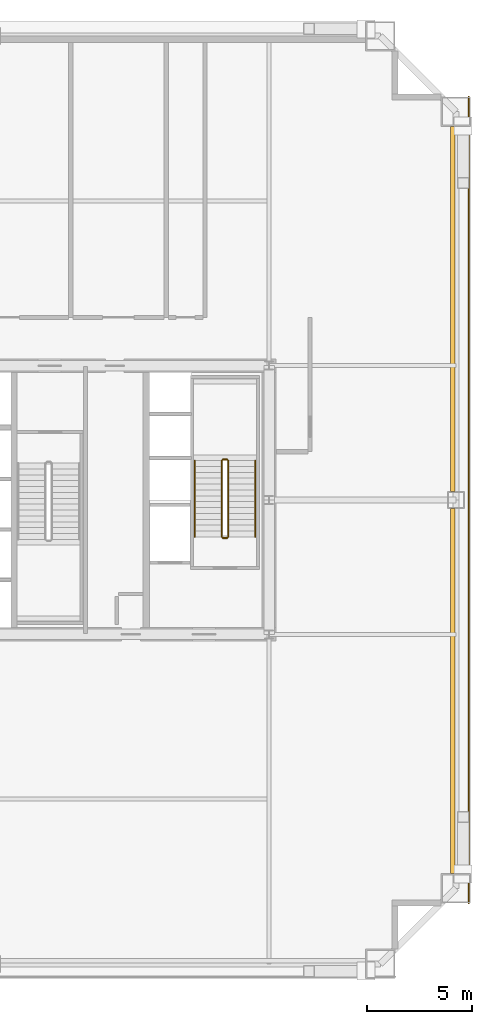
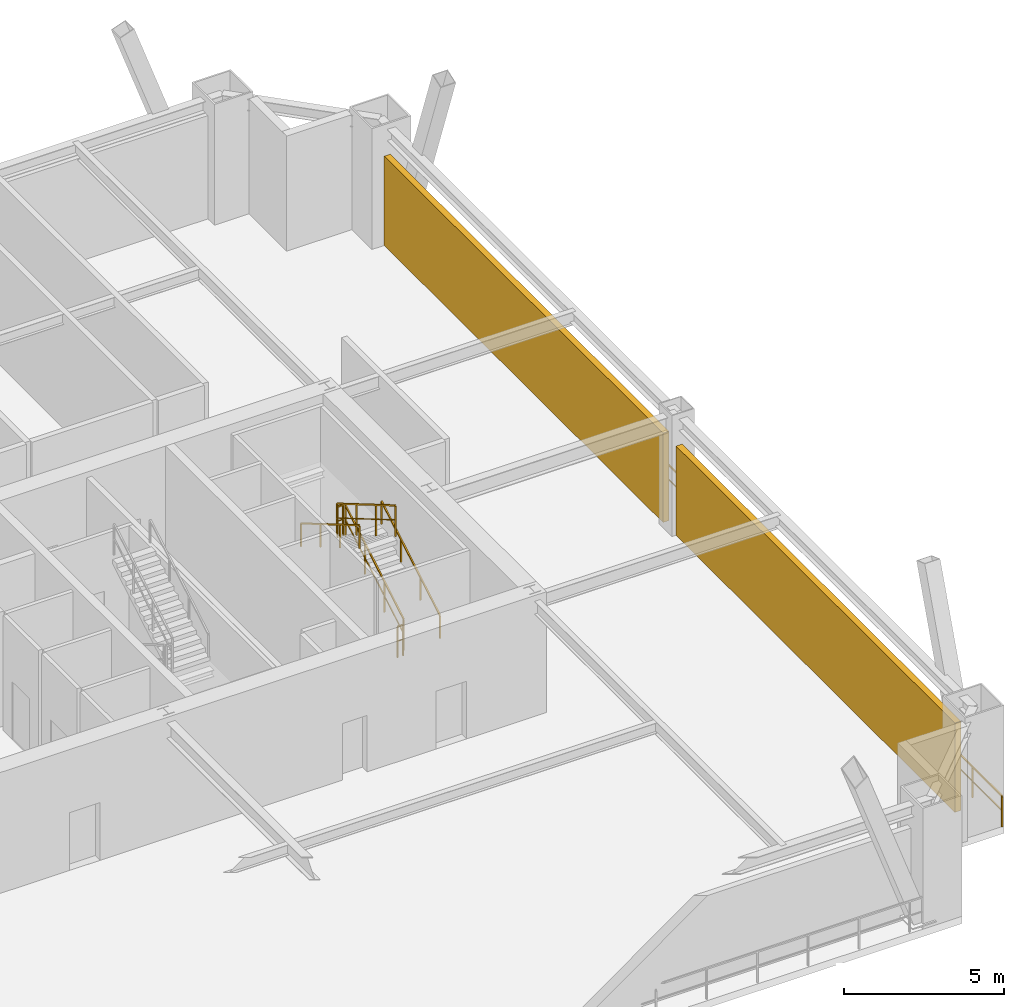
# One storey, part 9 of 9: 7 railings, 2 shading devices.
"""IFC4 building model written with IfcOpenShell, lengths in metres."""

from ifc_helpers import new_model, si_unit, direction, frame, origin, origin_2d, place, context, subcontext, project, spatial, rectangle, extrude, source, transform, mapped, material, layer, layer_set, type_object, element, save


model = new_model("IFC4")

# Units and contexts
model_context = context("Model", 3, precision=1e-05, world=origin(), true_north=direction((0.0, 1.0)))
body_context = subcontext(model_context, "Body", "Model", "MODEL_VIEW")
ifc_project = project(units=[si_unit("LENGTHUNIT", "METRE"), si_unit("AREAUNIT", "SQUARE_METRE"), si_unit("VOLUMEUNIT", "CUBIC_METRE"), si_unit("PLANEANGLEUNIT", "RADIAN"), si_unit("MASSUNIT", "GRAM", prefix="KILO"), si_unit("THERMODYNAMICTEMPERATUREUNIT", "KELVIN"), si_unit("POWERUNIT", "WATT")], contexts=[model_context])

# Site, building, storey
site_placement = place(None, origin())
site = spatial("IfcSite", under=ifc_project, at=site_placement, CompositionType="ELEMENT")
building_placement = place(site_placement, origin())
building = spatial("IfcBuilding", under=site, at=building_placement, Name="Yuzanri Waterfront Tower", CompositionType="ELEMENT")
storey_placement = place(building_placement, frame((0.0, 0.0, 176.39990234375)))
storey = spatial("IfcBuildingStorey", under=building, at=storey_placement, Name="L46", CompositionType="ELEMENT", Elevation=176.39990234375)

# Shading devices
ifc_material_1 = material(Name="Anodized Architectural Bronze", Category="metal")
ifc_layer_1 = layer(ifc_material_1, 0.219970703125)
ifc_layer_set_1 = layer_set([ifc_layer_1], Name="Anodized Architectural Bronze")
shading_device_type = type_object("IfcShadingDeviceType", Name="Anodized Bronze Refuge Wind-Diffusing Louvre Screen 220", PredefinedType="USERDEFINED", material=ifc_layer_set_1)
shared_shape_1 = source(origin(), body_context, "Body", "SweptSolid", [
    extrude(rectangle(XDim=0.219970703125, YDim=17.39990234375, at=origin_2d()), origin(), (0.0, 0.0, 1.0), 3.39990234375),
])
for number, where, z_axis, x_axis, name in (
    (1, (58.949951171875, 16.699951171875, 0.000244140625), (0.0, 0.0, 1.0), (1.0, 0.0, 0.0), "L46 Wind-Diffusing Refuge Louvre EL"),
    (2, (58.949951171875, 34.89990234375, 0.000244140625), (0.0, 0.0, 1.0), (1.0, 0.0, 0.0), "L46 Wind-Diffusing Refuge Louvre ER"),
):
    element("IfcShadingDevice", number, at=place(storey_placement, frame(where, z_axis=z_axis, x_axis=x_axis)), inside=storey, type_object=shading_device_type, Name=name, ObjectType="LOUVRE", PredefinedType="USERDEFINED", context=body_context, shape_type="MappedRepresentation", body=[
        mapped(shared_shape_1, transform((0.0, 0.0, 0.0), scale=1.0)),
    ])

# Railings
ifc_material_2 = material(Name="Anodized Architectural Bronze", Category="metal")
ifc_layer_2 = layer(ifc_material_2, 0.080078125)
ifc_layer_set_2 = layer_set([ifc_layer_2], Name="Anodized Architectural Bronze")
railing_type_1 = type_object("IfcRailingType", Name="Laminated Glass and Bronze Balcony Guardrail 1200", PredefinedType="BALUSTRADE", material=ifc_layer_set_2)
shared_shape_2 = source(origin(), body_context, "Body", "SweptSolid", [
    extrude(rectangle(XDim=0.050048828125, YDim=0.050048828125, at=origin_2d()), frame((0.0, 0.0, 1.1748046875), z_axis=(0.0, 1.0, 0.0), x_axis=(-1.0, 0.0, 0.0)), (0.0, 0.0, 1.0), 38.39990234375),
    extrude(rectangle(XDim=0.035888671875, YDim=0.030029296875, at=origin_2d()), frame((0.0, 0.0, 0.6240234375), z_axis=(0.0, 1.0, 0.0), x_axis=(-1.0, 0.0, 0.0)), (0.0, 0.0, 1.0), 38.39990234375),
    extrude(rectangle(XDim=0.0458984375, YDim=0.0458984375, at=origin_2d()), origin(), (0.0, 0.0, 1.0), 1.14990234375),
    extrude(rectangle(XDim=0.0458984375, YDim=0.0458984375, at=origin_2d()), frame((0.0, 1.82861328125, 0.0)), (0.0, 0.0, 1.0), 1.14990234375),
    extrude(rectangle(XDim=0.0458984375, YDim=0.0458984375, at=origin_2d()), frame((0.0, 3.6572265625, 0.0)), (0.0, 0.0, 1.0), 1.14990234375),
    extrude(rectangle(XDim=0.0458984375, YDim=0.0458984375, at=origin_2d()), frame((0.0, 5.485595703125, 0.0)), (0.0, 0.0, 1.0), 1.14990234375),
    extrude(rectangle(XDim=0.0458984375, YDim=0.0458984375, at=origin_2d()), frame((0.0, 7.314208984375, 0.0)), (0.0, 0.0, 1.0), 1.14990234375),
    extrude(rectangle(XDim=0.0458984375, YDim=0.0458984375, at=origin_2d()), frame((0.0, 9.142822265625, 0.0)), (0.0, 0.0, 1.0), 1.14990234375),
    extrude(rectangle(XDim=0.0458984375, YDim=0.0458984375, at=origin_2d()), frame((0.0, 10.971435546875, 0.0)), (0.0, 0.0, 1.0), 1.14990234375),
    extrude(rectangle(XDim=0.0458984375, YDim=0.0458984375, at=origin_2d()), frame((0.0, 12.800048828125, 0.0)), (0.0, 0.0, 1.0), 1.14990234375),
    extrude(rectangle(XDim=0.0458984375, YDim=0.0458984375, at=origin_2d()), frame((0.0, 14.62841796875, 0.0)), (0.0, 0.0, 1.0), 1.14990234375),
    extrude(rectangle(XDim=0.0458984375, YDim=0.0458984375, at=origin_2d()), frame((0.0, 16.45703125, 0.0)), (0.0, 0.0, 1.0), 1.14990234375),
    extrude(rectangle(XDim=0.0458984375, YDim=0.0458984375, at=origin_2d()), frame((0.0, 18.28564453125, 0.0)), (0.0, 0.0, 1.0), 1.14990234375),
    extrude(rectangle(XDim=0.0458984375, YDim=0.0458984375, at=origin_2d()), frame((0.0, 20.1142578125, 0.0)), (0.0, 0.0, 1.0), 1.14990234375),
    extrude(rectangle(XDim=0.0458984375, YDim=0.0458984375, at=origin_2d()), frame((0.0, 21.94287109375, 0.0)), (0.0, 0.0, 1.0), 1.14990234375),
    extrude(rectangle(XDim=0.0458984375, YDim=0.0458984375, at=origin_2d()), frame((0.0, 23.771484375, 0.0)), (0.0, 0.0, 1.0), 1.14990234375),
    extrude(rectangle(XDim=0.0458984375, YDim=0.0458984375, at=origin_2d()), frame((0.0, 25.599853515625, 0.0)), (0.0, 0.0, 1.0), 1.14990234375),
    extrude(rectangle(XDim=0.0458984375, YDim=0.0458984375, at=origin_2d()), frame((0.0, 27.428466796875, 0.0)), (0.0, 0.0, 1.0), 1.14990234375),
    extrude(rectangle(XDim=0.0458984375, YDim=0.0458984375, at=origin_2d()), frame((0.0, 29.257080078125, 0.0)), (0.0, 0.0, 1.0), 1.14990234375),
    extrude(rectangle(XDim=0.0458984375, YDim=0.0458984375, at=origin_2d()), frame((0.0, 31.085693359375, 0.0)), (0.0, 0.0, 1.0), 1.14990234375),
    extrude(rectangle(XDim=0.0458984375, YDim=0.0458984375, at=origin_2d()), frame((0.0, 32.914306640625, 0.0)), (0.0, 0.0, 1.0), 1.14990234375),
    extrude(rectangle(XDim=0.0458984375, YDim=0.0458984375, at=origin_2d()), frame((0.0, 34.74267578125, 0.0)), (0.0, 0.0, 1.0), 1.14990234375),
    extrude(rectangle(XDim=0.0458984375, YDim=0.0458984375, at=origin_2d()), frame((0.0, 36.5712890625, 0.0)), (0.0, 0.0, 1.0), 1.14990234375),
    extrude(rectangle(XDim=0.0458984375, YDim=0.0458984375, at=origin_2d()), frame((0.0, 38.39990234375, 0.0)), (0.0, 0.0, 1.0), 1.14990234375),
])
railing_1_placement = place(storey_placement, frame((59.719970703125, 6.60009765625, 0.0)))
element("IfcRailing", 3, at=railing_1_placement, inside=storey, type_object=railing_type_1, Name="L46 East Refuge Edge Guard", PredefinedType="BALUSTRADE", context=body_context, shape_type="MappedRepresentation", body=[
    mapped(shared_shape_2, transform((0.0, 0.0, 0.0), scale=1.0)),
])
ifc_material_3 = material(Name="Painted Galvanized Fire Steel", Category="steel")
ifc_layer_3 = layer(ifc_material_3, 0.06005859375)
ifc_layer_set_3 = layer_set([ifc_layer_3], Name="Painted Galvanized Fire Steel")
railing_type_2 = type_object("IfcRailingType", Name="Painted Steel Stairwell Guardrail 1120", PredefinedType="GUARDRAIL", material=ifc_layer_set_3)
shared_shape_3 = source(origin(), body_context, "Body", "SweptSolid", [
    extrude(rectangle(XDim=0.050048828125, YDim=0.050048828125, at=origin_2d()), frame((0.0, 0.0, 1.1748046875), z_axis=(-1.0, 0.0, 0.0), x_axis=(0.0, -1.0, 0.0)), (0.0, 0.0, 1.0), 0.199951171875),
    extrude(rectangle(XDim=0.035888671875, YDim=0.030029296875, at=origin_2d()), frame((0.0, 0.0, 0.6240234375), z_axis=(-1.0, 0.0, 0.0), x_axis=(0.0, -1.0, 0.0)), (0.0, 0.0, 1.0), 0.199951171875),
    extrude(rectangle(XDim=0.0458984375, YDim=0.0458984375, at=origin_2d()), origin(), (0.0, 0.0, 1.0), 1.14990234375),
    extrude(rectangle(XDim=0.0458984375, YDim=0.0458984375, at=origin_2d()), frame((-0.199951171875, 0.0, 0.0)), (0.0, 0.0, 1.0), 1.14990234375),
])
for number, where, name in (
    (4, (48.199951171875, 27.72998046875, 2.300048828125), "L46 ST-02 stair guard 2"),
    (5, (48.199951171875, 23.989990234375, 0.0), "L46 ST-02 stair guard 4"),
):
    element("IfcRailing", number, at=place(storey_placement, frame(where)), inside=storey, type_object=railing_type_2, Name=name, PredefinedType="GUARDRAIL", context=body_context, shape_type="MappedRepresentation", body=[
        mapped(shared_shape_3, transform((0.0, 0.0, 0.0), scale=1.0)),
    ])
shared_shape_4 = source(origin(), body_context, "Body", "SweptSolid", [
    extrude(rectangle(XDim=0.050048828125, YDim=0.050048828125, at=origin_2d()), frame((0.0, 0.0, 1.1748046875), z_axis=(0.0, 0.862489892076, 0.506074289079), x_axis=(-1.0, 0.0, 0.0)), (0.0, 0.0, 1.0), 4.22021484375),
    extrude(rectangle(XDim=0.035888671875, YDim=0.030029296875, at=origin_2d()), frame((0.0, 0.0, 0.6240234375), z_axis=(0.0, 0.862489892076, 0.506074289079), x_axis=(-1.0, 0.0, 0.0)), (0.0, 0.0, 1.0), 4.22021484375),
    extrude(rectangle(XDim=0.0458984375, YDim=0.0458984375, at=origin_2d()), origin(), (0.0, 0.0, 1.0), 1.14990234375),
    extrude(rectangle(XDim=0.0458984375, YDim=0.0458984375, at=origin_2d()), frame((0.0, 1.21337890625, 0.7119140625)), (0.0, 0.0, 1.0), 1.14990234375),
    extrude(rectangle(XDim=0.0458984375, YDim=0.0458984375, at=origin_2d()), frame((0.0, 2.426513671875, 1.423828125)), (0.0, 0.0, 1.0), 1.14990234375),
    extrude(rectangle(XDim=0.0458984375, YDim=0.0458984375, at=origin_2d()), frame((0.0, 3.639892578125, 2.1357421875)), (0.0, 0.0, 1.0), 1.14990234375),
])
railing_2_placement = place(storey_placement, frame((48.25, 24.0400390625, 0.164306640625)))
element("IfcRailing", 6, at=railing_2_placement, inside=storey, type_object=railing_type_2, Name="L46 ST-02 stair guard 1", PredefinedType="GUARDRAIL", context=body_context, shape_type="MappedRepresentation", body=[
    mapped(shared_shape_4, transform((0.0, 0.0, 0.0), scale=1.0)),
])
shared_shape_5 = source(origin(), body_context, "Body", "SweptSolid", [
    extrude(rectangle(XDim=0.050048828125, YDim=0.050048828125, at=origin_2d()), frame((0.0, 0.0, 1.1748046875), z_axis=(0.0, -0.862489892076, 0.506074289079), x_axis=(1.0, 0.0, 0.0)), (0.0, 0.0, 1.0), 4.22021484375),
    extrude(rectangle(XDim=0.035888671875, YDim=0.030029296875, at=origin_2d()), frame((0.0, 0.0, 0.6240234375), z_axis=(0.0, -0.862489892076, 0.506074289079), x_axis=(1.0, 0.0, 0.0)), (0.0, 0.0, 1.0), 4.22021484375),
    extrude(rectangle(XDim=0.0458984375, YDim=0.0458984375, at=origin_2d()), origin(), (0.0, 0.0, 1.0), 1.14990234375),
    extrude(rectangle(XDim=0.0458984375, YDim=0.0458984375, at=origin_2d()), frame((0.0, -1.21337890625, 0.7119140625)), (0.0, 0.0, 1.0), 1.14990234375),
    extrude(rectangle(XDim=0.0458984375, YDim=0.0458984375, at=origin_2d()), frame((0.0, -2.426513671875, 1.423828125)), (0.0, 0.0, 1.0), 1.14990234375),
    extrude(rectangle(XDim=0.0458984375, YDim=0.0458984375, at=origin_2d()), frame((0.0, -3.639892578125, 2.1357421875)), (0.0, 0.0, 1.0), 1.14990234375),
])
railing_3_placement = place(storey_placement, frame((47.949951171875, 27.679931640625, 2.46435546875)))
element("IfcRailing", 7, at=railing_3_placement, inside=storey, type_object=railing_type_2, Name="L46 ST-02 stair guard 3", PredefinedType="GUARDRAIL", context=body_context, shape_type="MappedRepresentation", body=[
    mapped(shared_shape_5, transform((0.0, 0.0, 0.0), scale=1.0)),
])
ifc_material_4 = material(Name="Anodized Architectural Bronze", Category="metal")
ifc_layer_4 = layer(ifc_material_4, 0.050048828125)
ifc_layer_set_4 = layer_set([ifc_layer_4], Name="Anodized Architectural Bronze")
railing_type_3 = type_object("IfcRailingType", Name="Brushed Bronze Stair Pitch Handrail 920", PredefinedType="HANDRAIL", material=ifc_layer_set_4)
shared_shape_6 = source(origin(), body_context, "Body", "SweptSolid", [
    extrude(rectangle(XDim=0.050048828125, YDim=0.050048828125, at=origin_2d()), frame((0.0, 0.0, 0.875), z_axis=(0.0, 0.862489892076, 0.506074289079), x_axis=(-1.0, 0.0, 0.0)), (0.0, 0.0, 1.0), 4.22021484375),
    extrude(rectangle(XDim=0.0458984375, YDim=0.0458984375, at=origin_2d()), origin(), (0.0, 0.0, 1.0), 0.849853515625),
    extrude(rectangle(XDim=0.0458984375, YDim=0.0458984375, at=origin_2d()), frame((0.0, 1.21337890625, 0.7119140625)), (0.0, 0.0, 1.0), 0.849853515625),
    extrude(rectangle(XDim=0.0458984375, YDim=0.0458984375, at=origin_2d()), frame((0.0, 2.426513671875, 1.423828125)), (0.0, 0.0, 1.0), 0.849853515625),
    extrude(rectangle(XDim=0.0458984375, YDim=0.0458984375, at=origin_2d()), frame((0.0, 3.639892578125, 2.1357421875)), (0.0, 0.0, 1.0), 0.849853515625),
])
railing_4_placement = place(storey_placement, frame((49.550048828125, 24.0400390625, 0.164306640625)))
element("IfcRailing", 8, at=railing_4_placement, inside=storey, type_object=railing_type_3, Name="L46 ST-02 stair handrail 1", PredefinedType="HANDRAIL", context=body_context, shape_type="MappedRepresentation", body=[
    mapped(shared_shape_6, transform((0.0, 0.0, 0.0), scale=1.0)),
])
shared_shape_7 = source(origin(), body_context, "Body", "SweptSolid", [
    extrude(rectangle(XDim=0.050048828125, YDim=0.050048828125, at=origin_2d()), frame((0.0, 0.0, 0.875), z_axis=(0.0, -0.862489892076, 0.506074289079), x_axis=(1.0, 0.0, 0.0)), (0.0, 0.0, 1.0), 4.22021484375),
    extrude(rectangle(XDim=0.0458984375, YDim=0.0458984375, at=origin_2d()), origin(), (0.0, 0.0, 1.0), 0.849853515625),
    extrude(rectangle(XDim=0.0458984375, YDim=0.0458984375, at=origin_2d()), frame((0.0, -1.21337890625, 0.7119140625)), (0.0, 0.0, 1.0), 0.849853515625),
    extrude(rectangle(XDim=0.0458984375, YDim=0.0458984375, at=origin_2d()), frame((0.0, -2.426513671875, 1.423828125)), (0.0, 0.0, 1.0), 0.849853515625),
    extrude(rectangle(XDim=0.0458984375, YDim=0.0458984375, at=origin_2d()), frame((0.0, -3.639892578125, 2.1357421875)), (0.0, 0.0, 1.0), 0.849853515625),
])
railing_5_placement = place(storey_placement, frame((46.64990234375, 27.679931640625, 2.46435546875)))
element("IfcRailing", 9, at=railing_5_placement, inside=storey, type_object=railing_type_3, Name="L46 ST-02 stair handrail 2", PredefinedType="HANDRAIL", context=body_context, shape_type="MappedRepresentation", body=[
    mapped(shared_shape_7, transform((0.0, 0.0, 0.0), scale=1.0)),
])

save(model, "model.ifc")
